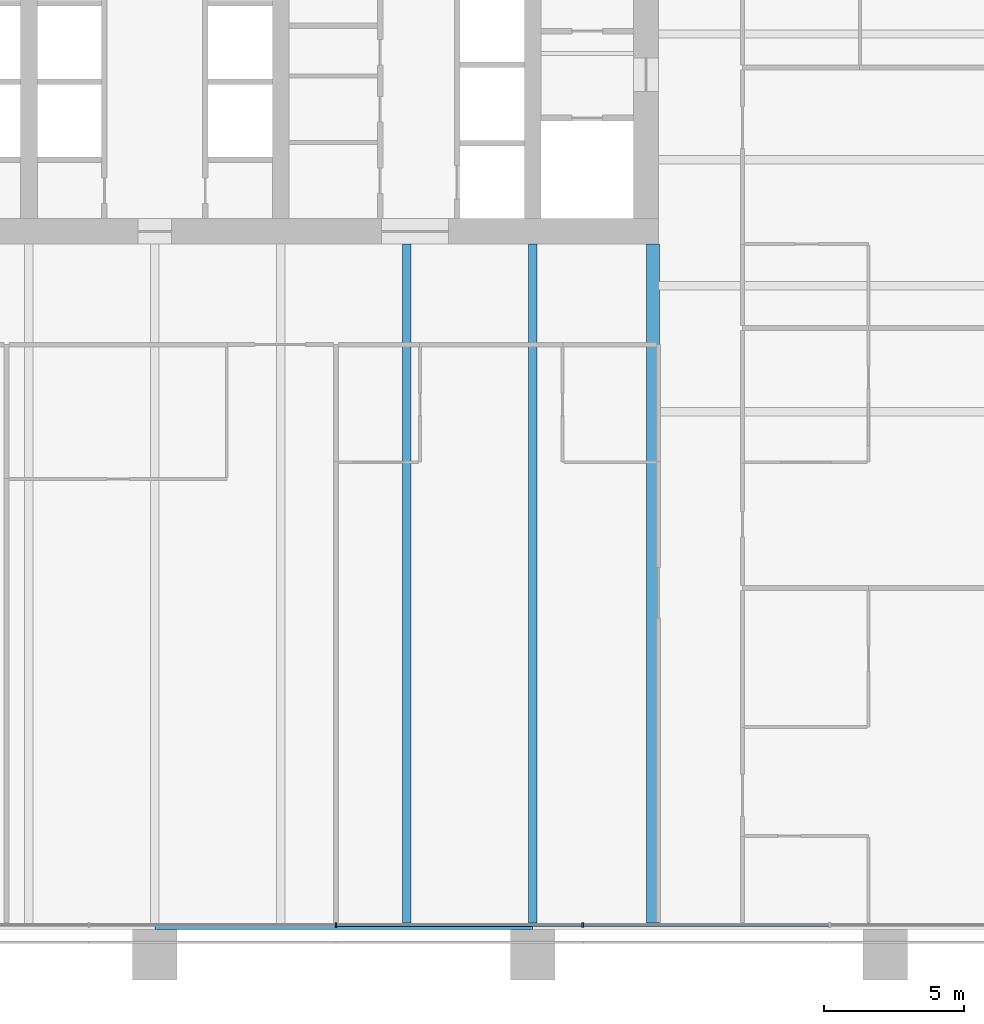
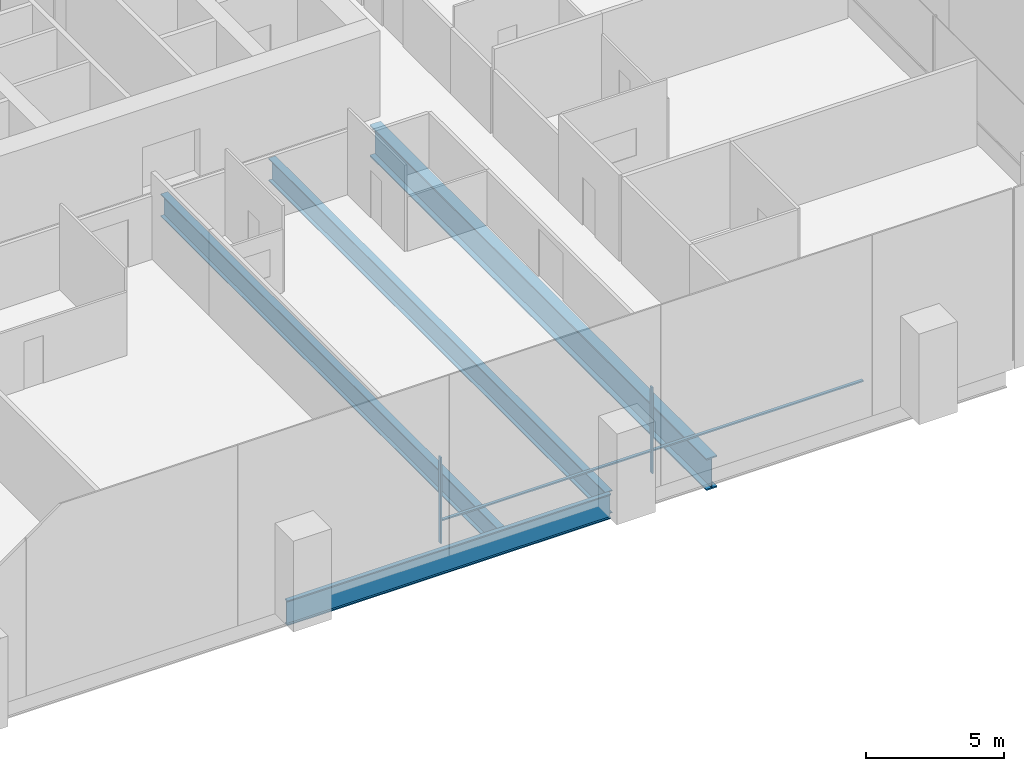
# One storey, part 5 of 19: 4 beams, 4 members, 1 element without a shape of its own.
"""IFC4 building model written with IfcOpenShell, lengths in metres."""

from ifc_helpers import new_model, si_unit, direction, frame, origin, origin_2d, place, context, subcontext, project, spatial, rectangle, i_section, extrude, material, material_profile, profile_set, type_object, element, aggregate, save


model = new_model("IFC4")

# Units and contexts
model_context = context("Model", 3, precision=1e-05, world=origin(), true_north=direction((0.0, 1.0)))
body_context = subcontext(model_context, "Body", "Model", "MODEL_VIEW")
ifc_project = project(units=[si_unit("LENGTHUNIT", "METRE"), si_unit("AREAUNIT", "SQUARE_METRE"), si_unit("VOLUMEUNIT", "CUBIC_METRE"), si_unit("PLANEANGLEUNIT", "RADIAN"), si_unit("MASSUNIT", "GRAM", prefix="KILO")], contexts=[model_context])

# Site, building, storey
site_placement = place(None, origin())
site = spatial("IfcSite", under=ifc_project, at=site_placement, CompositionType="ELEMENT")
building_placement = place(site_placement, origin())
building = spatial("IfcBuilding", under=site, at=building_placement, Name="Rattan Terrace Tower", CompositionType="ELEMENT")
storey_placement = place(building_placement, frame((0.0, 0.0, 103.699951171875)))
storey = spatial("IfcBuildingStorey", under=building, at=storey_placement, Name="L23", CompositionType="ELEMENT", Elevation=103.699951171875)

# Curtain wall, members
ifc_material_1 = material(Name="Aluminium and glass", Category="aluminium")
curtain_wall_type = type_object("IfcCurtainWallType", Name="Facade Unitised Curtain Wall", PredefinedType="NOTDEFINED", material=ifc_material_1)
curtain_wall_placement = place(storey_placement, origin())
curtain_wall = element("IfcCurtainWall", 1, at=curtain_wall_placement, inside=storey, type_object=curtain_wall_type, Name="Curtain wall L23-4", PredefinedType="NOTDEFINED")
ifc_material_2 = material(Name="Aluminium", Category="aluminium")
ifc_material_profile_1 = material_profile(ifc_material_2, rectangle(XDim=0.06005859375, YDim=0.159912109375, at=origin_2d()), Name="Aluminium 60x160")
ifc_profile_set_1 = profile_set([ifc_material_profile_1], Name="Aluminium")
member_type_1 = type_object("IfcMemberType", Name="Facade CW Mullion 60x160", PredefinedType="MULLION", material=ifc_profile_set_1)
member_1_placement = place(storey_placement, frame((6.468994140625, -31.830078125, 0.0), z_axis=(0.0, 0.0, 1.0), x_axis=(1.0, 0.0, 0.0)))
member_1 = element("IfcMember", 2, at=member_1_placement, type_object=member_type_1, Name="Mullion cwl-L23-004.4", PredefinedType="MULLION", context=body_context, shape_type="SweptSolid", body=[
    extrude(rectangle(XDim=0.06005859375, YDim=0.159912109375, at=origin_2d()), origin(), (0.0, 0.0, 1.0), 3.800048828125),
])
member_2_placement = place(storey_placement, frame((15.2919921875, -31.830078125, 0.0), z_axis=(0.0, 0.0, 1.0), x_axis=(1.0, 0.0, 0.0)))
member_2 = element("IfcMember", 3, at=member_2_placement, type_object=member_type_1, Name="Mullion cwl-L23-004.5", PredefinedType="MULLION", context=body_context, shape_type="SweptSolid", body=[
    extrude(rectangle(XDim=0.06005859375, YDim=0.159912109375, at=origin_2d()), origin(), (0.0, 0.0, 1.0), 3.800048828125),
])
ifc_material_3 = material(Name="Aluminium", Category="aluminium")
ifc_material_profile_2 = material_profile(ifc_material_3, rectangle(XDim=0.1201171875, YDim=0.06005859375, at=origin_2d()), Name="Aluminium 120x60")
ifc_profile_set_2 = profile_set([ifc_material_profile_2], Name="Aluminium")
member_type_2 = type_object("IfcMemberType", Name="Facade CW Transom 120x60", PredefinedType="USERDEFINED", material=ifc_profile_set_2)
member_3_placement = place(storey_placement, frame((6.4990234375, -31.830078125, 1.0), z_axis=(1.0, 0.0, 0.0), x_axis=(0.0, 1.0, 0.0)))
member_3 = element("IfcMember", 4, at=member_3_placement, type_object=member_type_2, Name="Transom cwl-L23-004.4", ObjectType="TRANSOM", PredefinedType="USERDEFINED", context=body_context, shape_type="SweptSolid", body=[
    extrude(rectangle(XDim=0.1201171875, YDim=0.06005859375, at=origin_2d()), origin(), (0.0, 0.0, 1.0), 8.762939453125),
])
member_4_placement = place(storey_placement, frame((15.322021484375, -31.830078125, 1.0), z_axis=(1.0, 0.0, 0.0), x_axis=(0.0, 1.0, 0.0)))
member_4 = element("IfcMember", 5, at=member_4_placement, type_object=member_type_2, Name="Transom cwl-L23-004.5", ObjectType="TRANSOM", PredefinedType="USERDEFINED", context=body_context, shape_type="SweptSolid", body=[
    extrude(rectangle(XDim=0.1201171875, YDim=0.06005859375, at=origin_2d()), origin(), (0.0, 0.0, 1.0), 8.762939453125),
])
aggregate(curtain_wall, [member_1, member_2, member_3, member_4])

# Beams
ifc_material_4 = material(Name="Steel S460", Category="steel")
ifc_material_profile_3 = material_profile(ifc_material_4, i_section(OverallWidth=0.449951171875, OverallDepth=1.39990234375, WebThickness=0.02197265625, FlangeThickness=0.054931640625, at=origin_2d()), Name="PG 1400x450-22-55")
ifc_profile_set_3 = profile_set([ifc_material_profile_3], Name="Steel S460")
beam_type_1 = type_object("IfcBeamType", Name="Frame core girder PG 1400x450-22-55", PredefinedType="BEAM", material=ifc_profile_set_3)
beam_1_placement = place(storey_placement, frame((17.800048828125, -31.820068359375, -0.89990234375), z_axis=(0.0, 1.0, 0.0), x_axis=(-1.0, 0.0, 0.0)))
element("IfcBeam", 6, at=beam_1_placement, inside=storey, type_object=beam_type_1, Name="gdr-L23-009", PredefinedType="BEAM", context=body_context, shape_type="SweptSolid", body=[
    extrude(i_section(OverallWidth=0.449951171875, OverallDepth=1.39990234375, WebThickness=0.02197265625, FlangeThickness=0.054931640625, at=origin_2d()), origin(), (0.0, 0.0, 1.0), 24.320068359375),
])
ifc_material_5 = material(Name="Steel S460", Category="steel")
ifc_material_profile_4 = material_profile(ifc_material_5, i_section(OverallWidth=0.179931640625, OverallDepth=1.10009765625, WebThickness=0.01611328125, FlangeThickness=0.050048828125, at=origin_2d()), Name="PG 1100x180-16-50")
ifc_profile_set_4 = profile_set([ifc_material_profile_4], Name="Steel S460")
beam_type_2 = type_object("IfcBeamType", Name="Frame edge girder PG 1100x180-16-50", PredefinedType="SPANDREL", material=ifc_profile_set_4)
beam_2_placement = place(storey_placement, frame((0.0, -31.909912109375, -0.75), z_axis=(1.0, 0.0, 0.0), x_axis=(0.0, 1.0, 0.0)))
element("IfcBeam", 7, at=beam_2_placement, inside=storey, type_object=beam_type_2, Name="gdr-L23-002", PredefinedType="SPANDREL", context=body_context, shape_type="SweptSolid", body=[
    extrude(i_section(OverallWidth=0.179931640625, OverallDepth=1.10009765625, WebThickness=0.01611328125, FlangeThickness=0.050048828125, at=origin_2d()), origin(), (0.0, 0.0, 1.0), 13.5),
])
ifc_material_6 = material(Name="Steel S460", Category="steel")
ifc_material_profile_5 = material_profile(ifc_material_6, i_section(OverallWidth=0.300048828125, OverallDepth=1.0, WebThickness=0.013916015625, FlangeThickness=0.0400390625, at=origin_2d()), Name="PG 1000x300-14-40")
ifc_profile_set_5 = profile_set([ifc_material_profile_5], Name="Steel S460")
beam_type_3 = type_object("IfcBeamType", Name="Frame floor beam PG 1000x300-14-40", PredefinedType="JOIST", material=ifc_profile_set_5)
for number, where, z_axis, x_axis, name in (
    (8, (9.0, -31.820068359375, -0.699951171875), (0.0, 1.0, 0.0), (-1.0, 0.0, 0.0), "bm-L23-008"),
    (9, (13.5, -31.820068359375, -0.699951171875), (0.0, 1.0, 0.0), (-1.0, 0.0, 0.0), "bm-L23-009"),
):
    element("IfcBeam", number, at=place(storey_placement, frame(where, z_axis=z_axis, x_axis=x_axis)), inside=storey, type_object=beam_type_3, Name=name, PredefinedType="JOIST", context=body_context, shape_type="SweptSolid", body=[
        extrude(i_section(OverallWidth=0.300048828125, OverallDepth=1.0, WebThickness=0.013916015625, FlangeThickness=0.0400390625, at=origin_2d()), origin(), (0.0, 0.0, 1.0), 24.320068359375),
    ])

save(model, "model.ifc")
